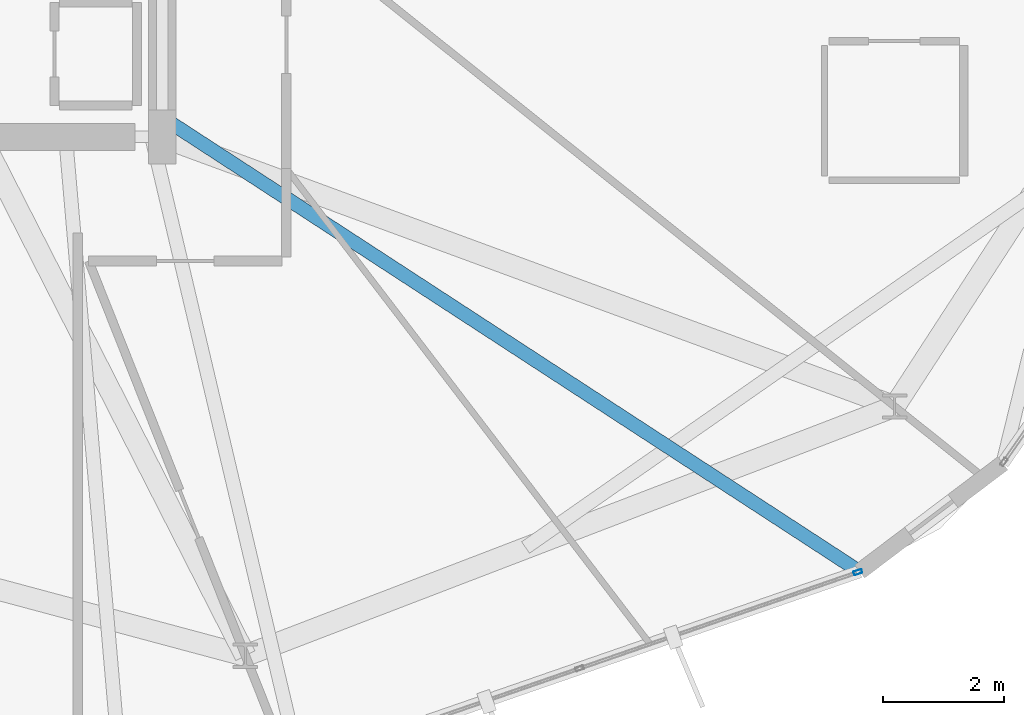
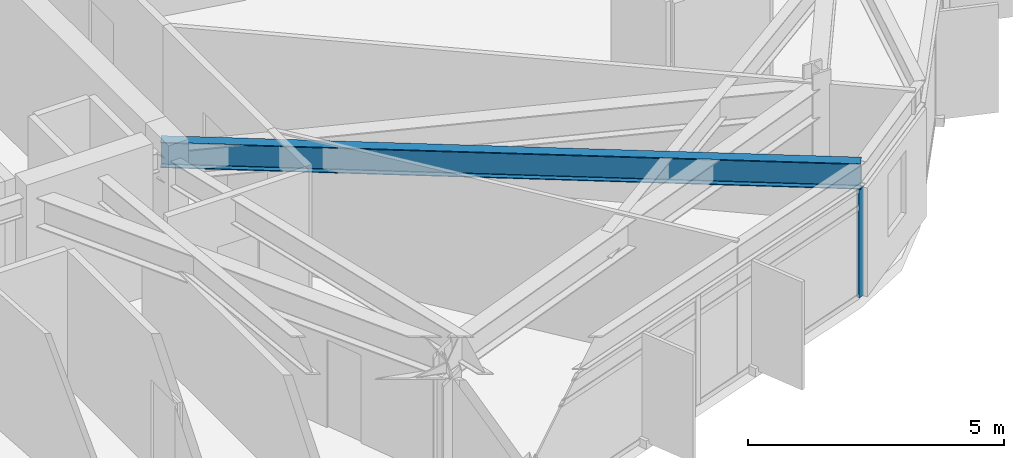
# One storey, part 8 of 34: 1 beam, 1 member, 1 element without a shape of its own.
"""IFC4 building model written with IfcOpenShell, lengths in metres."""

from ifc_helpers import new_model, si_unit, direction, frame, origin, origin_2d, place, context, subcontext, project, spatial, hollow_rectangle, i_section, extrude, material, layer, layer_set, material_profile, profile_set, type_object, element, aggregate, save


model = new_model("IFC4")

# Units and contexts
model_context = context("Model", 3, precision=1e-05, world=origin(), true_north=direction((0.0, 1.0)))
body_context = subcontext(model_context, "Body", "Model", "MODEL_VIEW")
ifc_project = project(units=[si_unit("LENGTHUNIT", "METRE"), si_unit("AREAUNIT", "SQUARE_METRE"), si_unit("VOLUMEUNIT", "CUBIC_METRE"), si_unit("PLANEANGLEUNIT", "RADIAN"), si_unit("MASSUNIT", "GRAM", prefix="KILO")], contexts=[model_context])

# Site, building, storey
site_placement = place(None, origin())
site = spatial("IfcSite", under=ifc_project, at=site_placement, CompositionType="ELEMENT")
building_placement = place(site_placement, origin())
building = spatial("IfcBuilding", under=site, at=building_placement, Name="Soratama Intermodal Tower", CompositionType="ELEMENT")
storey_placement = place(building_placement, frame((0.0, 0.0, 233.800048828125)))
storey = spatial("IfcBuildingStorey", under=building, at=storey_placement, Name="L59", CompositionType="ELEMENT", Elevation=233.800048828125)

# Beam
ifc_material_1 = material(Name="Structural steel ASTM A992 Grade 50", Category="steel")
ifc_material_profile_1 = material_profile(ifc_material_1, i_section(OverallWidth=0.22900390625, OverallDepth=0.612060546875, WebThickness=0.011962890625, FlangeThickness=0.01953125, FilletRadius=0.012939453125, at=origin_2d()), Name="W24X84")
ifc_profile_set_1 = profile_set([ifc_material_profile_1], Name="Structural steel ASTM A992 Grade 50")
beam_type = type_object("IfcBeamType", Name="BM-TIE-W24X84", PredefinedType="BEAM", material=ifc_profile_set_1)
beam_placement = place(storey_placement, frame((44.634033203125, 15.302001953125, 2.9140625), z_axis=(0.837920658077, -0.545792058176, 0.0), x_axis=(0.545792058176, 0.837920658077, 0.0)))
element("IfcBeam", 1, at=beam_placement, inside=storey, type_object=beam_type, Name="BM-L59-TIE1-07", PredefinedType="BEAM", context=body_context, shape_type="SweptSolid", body=[
    extrude(i_section(OverallWidth=0.22900390625, OverallDepth=0.612060546875, WebThickness=0.011962890625, FlangeThickness=0.01953125, FilletRadius=0.012939453125, at=origin_2d()), origin(), (0.0, 0.0, 1.0), 13.716064453125),
])

# Curtain wall, member
ifc_material_2 = material(Name="Double-glazed aluminium curtain wall", Category="aluminium")
ifc_layer = layer(ifc_material_2, 0.159912109375)
ifc_layer_set = layer_set([ifc_layer], Name="Double-glazed aluminium curtain wall")
curtain_wall_type = type_object("IfcCurtainWallType", Name="CW-SYS-5", PredefinedType="NOTDEFINED", material=ifc_layer_set)
curtain_wall_placement = place(storey_placement, origin())
curtain_wall = element("IfcCurtainWall", 2, at=curtain_wall_placement, inside=storey, type_object=curtain_wall_type, Name="L59 Faceted Curtain Wall F07", PredefinedType="NOTDEFINED")
ifc_material_3 = material(Name="Anodised aluminium AA 6063-T6", Category="aluminium")
ifc_material_profile_2 = material_profile(ifc_material_3, hollow_rectangle(XDim=0.06494140625, YDim=0.139892578125, WallThickness=0.0048828125, InnerFilletRadius=0.0048828125, OuterFilletRadius=0.010009765625, at=origin_2d()), Name="CWM140X65X5")
ifc_profile_set_2 = profile_set([ifc_material_profile_2], Name="Anodised aluminium AA 6063-T6")
member_type = type_object("IfcMemberType", Name="MT-CWM-5", PredefinedType="MULLION", material=ifc_profile_set_2)
member_placement = place(storey_placement, frame((56.098876953125, 7.806396484375, 0.0), z_axis=(0.0, 0.0, 1.0), x_axis=(-0.326893913141, 0.945061040119, 0.0)))
member = element("IfcMember", 3, at=member_placement, type_object=member_type, Name="CW-5 mullion 3", PredefinedType="MULLION", context=body_context, shape_type="SweptSolid", body=[
    extrude(hollow_rectangle(XDim=0.06494140625, YDim=0.139892578125, WallThickness=0.0048828125, InnerFilletRadius=0.0048828125, OuterFilletRadius=0.010009765625, at=origin_2d()), origin(), (0.0, 0.0, 1.0), 2.598876953125),
])
aggregate(curtain_wall, [member])

save(model, "model.ifc")
